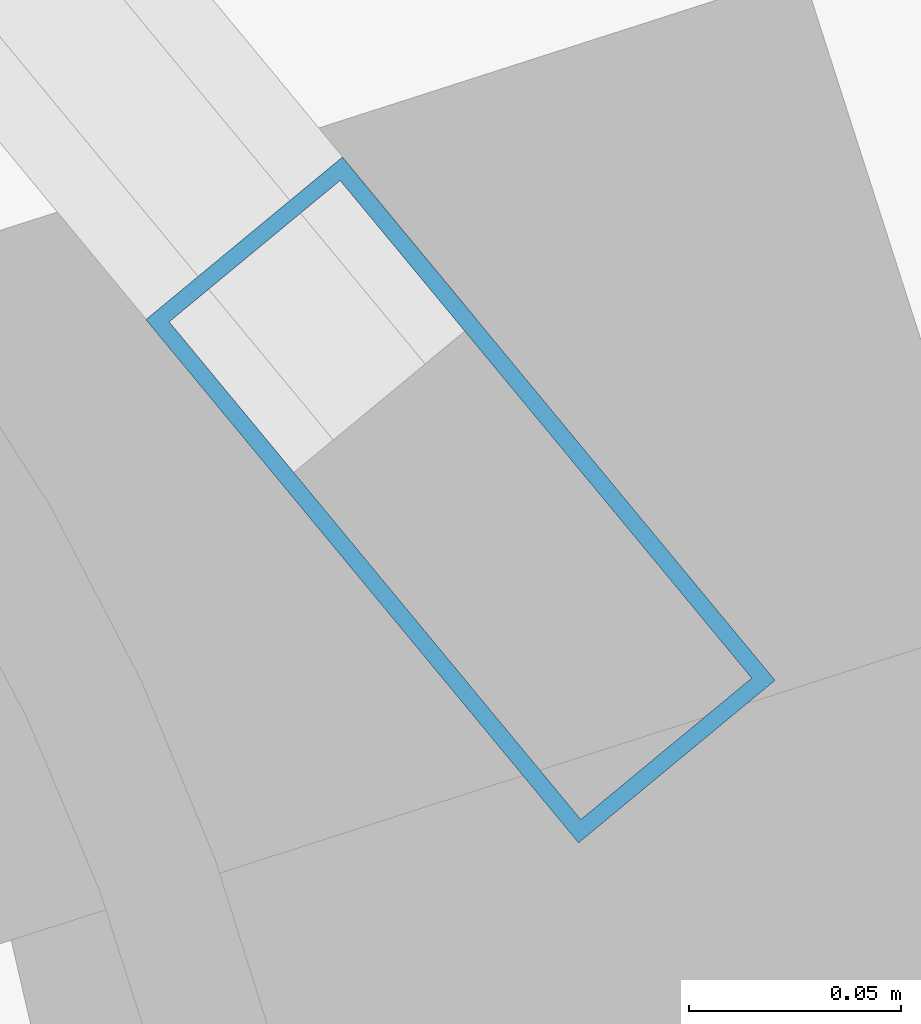
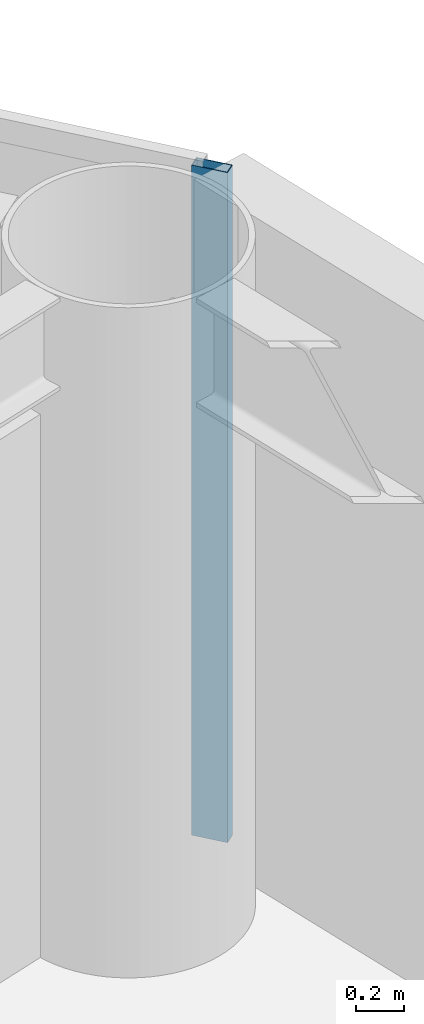
# One storey, part 9 of 29: 1 member, 1 element without a shape of its own.
"""IFC4 building model written with IfcOpenShell, lengths in metres."""

from ifc_helpers import new_model, si_unit, direction, frame, origin, origin_2d, place, context, subcontext, project, spatial, hollow_rectangle, extrude, material, layer, layer_set, material_profile, profile_set, type_object, element, aggregate, save


model = new_model("IFC4")

# Units and contexts
model_context = context("Model", 3, precision=1e-05, world=origin(), true_north=direction((0.0, 1.0)))
body_context = subcontext(model_context, "Body", "Model", "MODEL_VIEW")
ifc_project = project(units=[si_unit("LENGTHUNIT", "METRE"), si_unit("AREAUNIT", "SQUARE_METRE"), si_unit("VOLUMEUNIT", "CUBIC_METRE"), si_unit("PLANEANGLEUNIT", "RADIAN"), si_unit("MASSUNIT", "GRAM", prefix="KILO")], contexts=[model_context])

# Site, building, storey
site_placement = place(None, origin())
site = spatial("IfcSite", under=ifc_project, at=site_placement, CompositionType="ELEMENT")
building_placement = place(site_placement, origin())
building = spatial("IfcBuilding", under=site, at=building_placement, Name="Sarneth Arch Tower", CompositionType="ELEMENT")
storey_placement = place(building_placement, frame((0.0, 0.0, 175.800048828125)))
storey = spatial("IfcBuildingStorey", under=building, at=storey_placement, Name="L44", CompositionType="ELEMENT", Elevation=175.800048828125)

# Curtain wall, member
ifc_material_1 = material(Name="Anodised aluminium Type AA25 and solar-control low-e laminated IGU", Category="aluminium")
ifc_layer = layer(ifc_material_1, 0.169921875)
ifc_layer_set = layer_set([ifc_layer], Name="Anodised aluminium Type AA25 and solar-control low-e laminated IGU")
curtain_wall_type = type_object("IfcCurtainWallType", Name="CW-RES-MID", PredefinedType="NOTDEFINED", material=ifc_layer_set)
curtain_wall_placement = place(storey_placement, origin())
curtain_wall = element("IfcCurtainWall", 1, at=curtain_wall_placement, inside=storey, type_object=curtain_wall_type, Name="L44 Unitised curtain wall facet 02", PredefinedType="NOTDEFINED")
ifc_material_2 = material(Name="Anodised Aluminium 6063-T6", Category="aluminium")
ifc_material_profile = material_profile(ifc_material_2, hollow_rectangle(XDim=0.06005859375, YDim=0.159912109375, WallThickness=0.00390625, at=origin_2d()), Name="AL-MULL-160x60x4")
ifc_profile_set = profile_set([ifc_material_profile], Name="Anodised Aluminium 6063-T6")
member_type = type_object("IfcMemberType", Name="CW-MULLION", PredefinedType="MULLION", material=ifc_profile_set)
member_placement = place(storey_placement, frame((73.213134765625, 50.090087890625, 0.0), z_axis=(0.0, 0.0, 1.0), x_axis=(-0.770590741276, -0.637330298558, 0.0)))
member = element("IfcMember", 2, at=member_placement, type_object=member_type, Name="CW-SYS-5 mullion 1", PredefinedType="MULLION", context=body_context, shape_type="SweptSolid", body=[
    extrude(hollow_rectangle(XDim=0.06005859375, YDim=0.159912109375, WallThickness=0.00390625, at=origin_2d()), origin(), (0.0, 0.0, 1.0), 3.3798828125),
])
aggregate(curtain_wall, [member])

save(model, "model.ifc")
